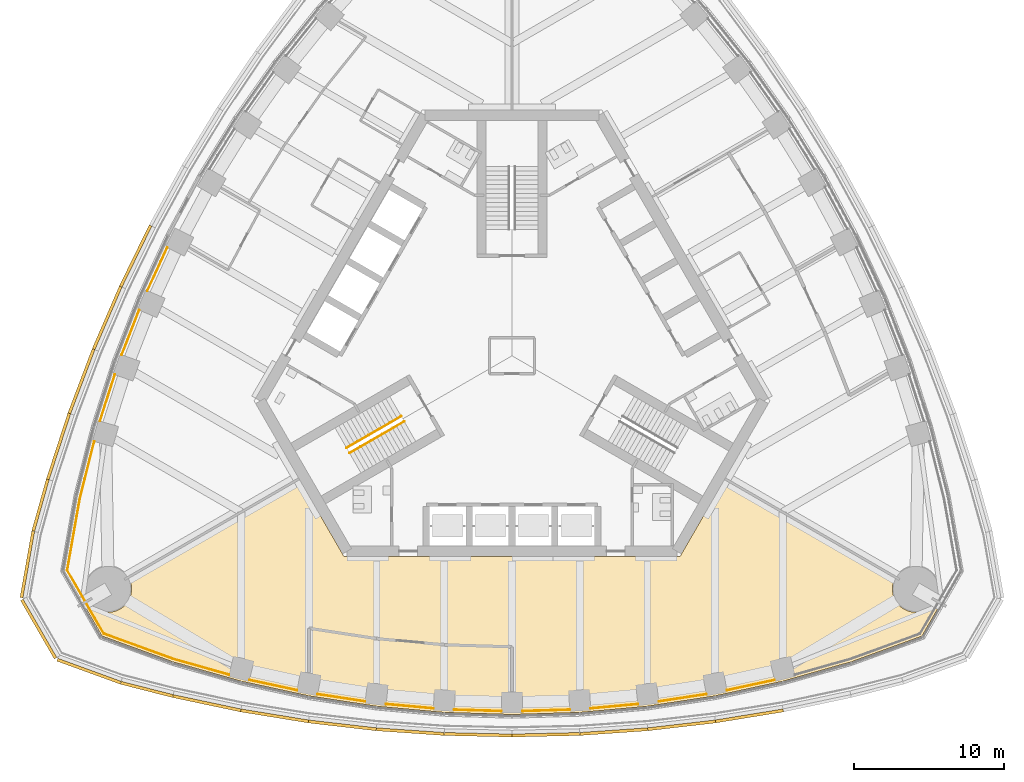
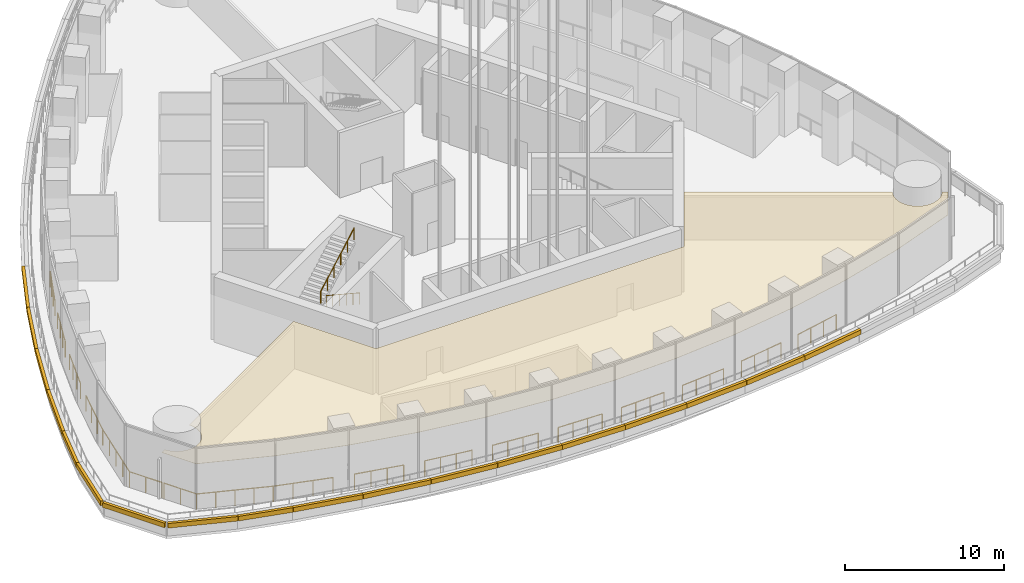
# One storey, part 13 of 26: 19 coverings, 15 railings.
"""IFC4 building model written with IfcOpenShell, lengths in metres."""

import ifcopenshell
import ifcopenshell.guid

model = None  # the IFC model being written
_history = None  # IfcOwnerHistory: only IFC2X3 demands one
_inside = {}  # id of a spatial element -> (the spatial element, [elements in it])
_under = {}  # id of a project, library or spatial element -> (it, [spatial elements below it])
_declared = {}  # id of a project -> (the project, [libraries it declares])
_typed = {}  # id of a type object -> (the type object, [elements of that type])
_made_of = {}  # id of a material, layer set ... -> (it, [elements and type objects made of it])


def new_model(schema):
    """Start an empty IFC model of exactly this schema.

    Asked for "IFC4X3", IfcOpenShell would pick the latest addendum, in which some entities
    have other attributes; the version numbers below select the first issue.
    IFC2X3 requires an IfcOwnerHistory on every rooted entity: one is made here for all.
    """
    global model, _history
    if schema == "IFC4X3":
        model = ifcopenshell.file(schema_version=(4, 3, 0, 0))
    else:
        model = ifcopenshell.file(schema=schema)
    _inside.clear()
    _under.clear()
    _declared.clear()
    _typed.clear()
    _made_of.clear()
    _history = None
    if model.schema == "IFC2X3":
        org = make("IfcOrganization", Name="unknown")
        user = make(
            "IfcPersonAndOrganization",
            ThePerson=make("IfcPerson", FamilyName="unknown"),
            TheOrganization=org,
        )
        app = make(
            "IfcApplication",
            ApplicationDeveloper=org,
            Version="unknown",
            ApplicationFullName="unknown",
            ApplicationIdentifier="unknown",
        )
        _history = make(
            "IfcOwnerHistory",
            OwningUser=user,
            OwningApplication=app,
            ChangeAction="ADDED",
            CreationDate=0,
        )
    return model


def make(cls, **values):
    """One entity of the class cls with the attributes given. An attribute that is None is left unset."""
    return model.create_entity(
        cls, **{name: value for name, value in values.items() if value is not None}
    )


def rooted(cls, **values):
    """An entity with a GlobalId (a new one), such as an element, a storey or a relation."""
    return make(cls, GlobalId=ifcopenshell.guid.new(), OwnerHistory=_history, **values)


def si_unit(unit_type, name, prefix=None):
    """IfcSIUnit, for example si_unit("LENGTHUNIT", "METRE", prefix="MILLI")."""
    return make("IfcSIUnit", UnitType=unit_type, Prefix=prefix, Name=name)


def assignment(units):
    """IfcUnitAssignment: the units of a project."""
    return None if units is None else make("IfcUnitAssignment", Units=units)


def point(xyz):
    """IfcCartesianPoint."""
    return None if xyz is None else make("IfcCartesianPoint", Coordinates=xyz)


def direction(xyz):
    """IfcDirection."""
    return None if xyz is None else make("IfcDirection", DirectionRatios=xyz)


def frame(location, z_axis=None, x_axis=None):
    """IfcAxis2Placement3D, a coordinate frame: its origin and axes. An axis left out is left unset."""
    return make(
        "IfcAxis2Placement3D",
        Location=point(location),
        Axis=direction(z_axis),
        RefDirection=direction(x_axis),
    )


def frame_2d(location, x_axis=None):
    """IfcAxis2Placement2D, a coordinate frame in the plane: its origin and x axis."""
    return make(
        "IfcAxis2Placement2D", Location=point(location), RefDirection=direction(x_axis)
    )


def origin():
    """The frame at (0, 0, 0) with its axes left unset."""
    return frame((0.0, 0.0, 0.0))


def origin_2d():
    """The frame at (0, 0) in the plane with its x axis left unset."""
    return frame_2d((0.0, 0.0))


def place(relative_to, where):
    """IfcLocalPlacement: puts the frame where relative to a parent placement (None: the world)."""
    return make(
        "IfcLocalPlacement", PlacementRelTo=relative_to, RelativePlacement=where
    )


def context(
    kind, dimensions, precision=None, world=None, true_north=None, identifier=None
):
    """IfcGeometricRepresentationContext, for example the 3D "Model" context."""
    return make(
        "IfcGeometricRepresentationContext",
        ContextIdentifier=identifier,
        ContextType=kind,
        CoordinateSpaceDimension=dimensions,
        Precision=precision,
        WorldCoordinateSystem=world,
        TrueNorth=true_north,
    )


def subcontext(parent, identifier, kind, view, scale=None):
    """IfcGeometricRepresentationSubContext, for example "Body" below "Model"."""
    return make(
        "IfcGeometricRepresentationSubContext",
        ContextIdentifier=identifier,
        ContextType=kind,
        ParentContext=parent,
        TargetScale=scale,
        TargetView=view,
    )


def project(units=None, contexts=None):
    """IfcProject with its units and contexts."""
    return rooted(
        "IfcProject",
        Name="project",
        RepresentationContexts=contexts,
        UnitsInContext=assignment(units),
    )


def spatial(cls, under=None, at=None, **own):
    """A site, building, storey or space (cls), placed at a placement, below another one or the project."""
    s = rooted(cls, ObjectPlacement=at, **own)
    if under is not None:
        _under.setdefault(under.id(), (under, []))[1].append(s)
    return s


def polyline(points):
    """IfcPolyline through the points."""
    return make("IfcPolyline", Points=[point(p) for p in points])


def profile(cls, at=None, kind="AREA", **sizes):
    """A parametric profile (cls). Its sizes go by their IFC names, for example OverallWidth=200.0."""
    return make(cls, ProfileType=kind, Position=at, **sizes)


def rectangle(**sizes):
    """IfcRectangleProfileDef."""
    return profile("IfcRectangleProfileDef", **sizes)


def circle(**sizes):
    """IfcCircleProfileDef."""
    return profile("IfcCircleProfileDef", **sizes)


def outline(outer, holes=None, kind="AREA"):
    """IfcArbitraryClosedProfileDef: a profile drawn as a closed curve; with holes, ...WithVoids."""
    if holes is None:
        return make("IfcArbitraryClosedProfileDef", ProfileType=kind, OuterCurve=outer)
    return make(
        "IfcArbitraryProfileDefWithVoids",
        ProfileType=kind,
        OuterCurve=outer,
        InnerCurves=holes,
    )


def extrude(swept, where, along, depth):
    """IfcExtrudedAreaSolid: the profile swept, set in the frame where, extruded along a direction by depth."""
    return make(
        "IfcExtrudedAreaSolid",
        SweptArea=swept,
        Position=where,
        ExtrudedDirection=direction(along),
        Depth=depth,
    )


def shape(context_of_items, identifier, shape_type, items):
    """IfcShapeRepresentation: the items that make up one representation, for example the "Body"."""
    return make(
        "IfcShapeRepresentation",
        ContextOfItems=context_of_items,
        RepresentationIdentifier=identifier,
        RepresentationType=shape_type,
        Items=items,
    )


def material(Name=None, Category=None):
    """IfcMaterial."""
    return make("IfcMaterial", Name=Name, Category=Category)


def layer(
    of_material, thickness, ventilated=None, Name=None, Category=None, Priority=None
):
    """IfcMaterialLayer: one layer of a wall or slab, of a material (None: an air gap)."""
    return make(
        "IfcMaterialLayer",
        Material=of_material,
        LayerThickness=thickness,
        IsVentilated=ventilated,
        Name=Name,
        Category=Category,
        Priority=Priority,
    )


def layer_set(layers, Name=None):
    """IfcMaterialLayerSet."""
    return make("IfcMaterialLayerSet", MaterialLayers=layers, LayerSetName=Name)


def made_of(thing, what):
    """Note that an element or type object is made of a material, layer set ...; save() writes the relation."""
    if what is not None:
        _made_of.setdefault(what.id(), (what, []))[1].append(thing)
    return thing


def type_object(cls, material=None, **own):
    """A type object (cls), such as IfcWallType, which elements share."""
    return made_of(rooted(cls, **own), material)


def element(
    cls,
    number,
    at=None,
    inside=None,
    cuts=None,
    type_object=None,
    material=None,
    context=None,
    identifier="Body",
    shape_type=None,
    held_by="IfcProductDefinitionShape",
    body=None,
    shapes=None,
    **own,
):
    """One element of the class cls, such as IfcWall. Its Tag is "e" and its number.

    at: its placement. inside: the storey or other place that contains it. cuts: it is an
    opening in that element (IfcRelVoidsElement). A single representation is given by context,
    identifier, shape_type and body (its items); several are given by shapes. held_by: the class
    of the entity that holds the representations. save() writes the other relations.
    """
    e = rooted(cls, Tag="e%d" % number, ObjectPlacement=at, **own)
    if body is not None:
        shapes = [shape(context, identifier, shape_type, body)]
    if shapes is not None:
        e.Representation = make(held_by, Representations=shapes)
    if inside is not None:
        _inside.setdefault(inside.id(), (inside, []))[1].append(e)
    if cuts is not None:
        rooted(
            "IfcRelVoidsElement", RelatingBuildingElement=cuts, RelatedOpeningElement=e
        )
    if type_object is not None:
        _typed.setdefault(type_object.id(), (type_object, []))[1].append(e)
    return made_of(e, material)


def aggregate(whole, parts):
    """IfcRelAggregates: a whole, such as a stair, and the parts it consists of."""
    return rooted("IfcRelAggregates", RelatingObject=whole, RelatedObjects=parts)


def save(model, path):
    """Write the relations noted so far, then the file.

    IfcRelAggregates (storeys below a building ...), IfcRelContainedInSpatialStructure (elements
    in a storey), IfcRelDefinesByType, IfcRelAssociatesMaterial and IfcRelDeclares: one each for
    every whole, place, type object, material and project.
    """
    for whole, parts in _under.values():
        aggregate(whole, parts)
    for where, things in _inside.values():
        rooted(
            "IfcRelContainedInSpatialStructure",
            RelatedElements=things,
            RelatingStructure=where,
        )
    for kind, things in _typed.values():
        rooted("IfcRelDefinesByType", RelatedObjects=things, RelatingType=kind)
    for what, things in _made_of.values():
        rooted("IfcRelAssociatesMaterial", RelatedObjects=things, RelatingMaterial=what)
    for by, libraries in _declared.values():
        rooted("IfcRelDeclares", RelatingContext=by, RelatedDefinitions=libraries)
    model.write(path)


model = new_model("IFC4")

# Units and contexts
model_context = context("Model", 3, precision=1e-05, world=origin(), true_north=direction((0.0, 1.0)))
body_context = subcontext(model_context, "Body", "Model", "MODEL_VIEW")
ifc_project = project(units=[si_unit("LENGTHUNIT", "METRE"), si_unit("AREAUNIT", "SQUARE_METRE"), si_unit("VOLUMEUNIT", "CUBIC_METRE"), si_unit("PLANEANGLEUNIT", "RADIAN"), si_unit("MASSUNIT", "GRAM", prefix="KILO")], contexts=[model_context])

# Site, building, storey
site_placement = place(None, origin())
site = spatial("IfcSite", under=ifc_project, at=site_placement, CompositionType="ELEMENT")
building_placement = place(site_placement, origin())
building = spatial("IfcBuilding", under=site, at=building_placement, Name="Trefoil Bronze Tower", CompositionType="ELEMENT")
storey_placement = place(building_placement, frame((0.0, 0.0, 271.300048828125)))
storey = spatial("IfcBuildingStorey", under=building, at=storey_placement, Name="L62", CompositionType="ELEMENT", Elevation=271.300048828125)

# Covering
ifc_material_1 = material(Name="Bronze metal ceiling panels", Category="metal")
ifc_layer = layer(ifc_material_1, 0.02001953125)
ifc_layer_set = layer_set([ifc_layer], Name="Feature ceiling 20")
covering_type_1 = type_object("IfcCoveringType", Name="Feature ceiling 20", PredefinedType="CEILING", material=ifc_layer_set)
covering_1_placement = place(storey_placement, frame((0.0, 0.0, 3.599853515625)))
element("IfcCovering", 1, at=covering_1_placement, inside=storey, type_object=covering_type_1, Name="Ceiling L62 Sky restaurant F1", PredefinedType="CEILING", context=body_context, shape_type="SweptSolid", body=[
    extrude(outline(polyline([(-28.135498046875, -16.361083984375), (-28.091796875, -16.42333984375), (-28.044921875, -16.4833984375), (-27.995361328125, -16.541015625), (-27.94287109375, -16.595947265625), (-27.8876953125, -16.6484375), (-27.830078125, -16.6982421875), (-27.77001953125, -16.7451171875), (-27.7080078125, -16.788818359375), (-27.6435546875, -16.82958984375), (-27.577392578125, -16.866943359375), (-27.509521484375, -16.901123046875), (-27.43994140625, -16.931884765625), (-27.368896484375, -16.95947265625), (-27.296630859375, -16.9833984375), (-27.223388671875, -17.00341796875), (-27.149169921875, -17.020263671875), (-27.07421875, -17.033203125), (-26.998779296875, -17.04248046875), (-26.9228515625, -17.048095703125), (-26.8466796875, -17.050048828125), (-26.770751953125, -17.048095703125), (-26.69482421875, -17.04248046875), (-26.619384765625, -17.033203125), (-26.54443359375, -17.020263671875), (-26.47021484375, -17.00341796875), (-26.396728515625, -16.9833984375), (-26.32470703125, -16.95947265625), (-26.253662109375, -16.931884765625), (-26.18408203125, -16.901123046875), (-26.1162109375, -16.866943359375), (-26.0498046875, -16.82958984375), (-25.985595703125, -16.788818359375), (-25.923583984375, -16.7451171875), (-25.863525390625, -16.6982421875), (-25.805908203125, -16.6484375), (-25.750732421875, -16.595947265625), (-25.6982421875, -16.541015625), (-25.648681640625, -16.4833984375), (-25.601806640625, -16.42333984375), (-25.55810546875, -16.361083984375), (-25.517333984375, -16.296875), (-25.479736328125, -16.230712890625), (-25.445556640625, -16.16259765625), (-25.414794921875, -16.09326171875), (-25.387451171875, -16.022216796875), (-25.363525390625, -15.949951171875), (-25.34326171875, -15.876708984375), (-25.32666015625, -15.802490234375), (-25.313720703125, -15.727294921875), (-25.30419921875, -15.65185546875), (-25.298583984375, -15.576171875), (-25.296875, -15.5), (-25.298583984375, -15.423828125), (-25.30419921875, -15.34814453125), (-25.313720703125, -15.272705078125), (-25.32666015625, -15.197509765625), (-25.34326171875, -15.123291015625), (-25.363525390625, -15.050048828125), (-25.387451171875, -14.977783203125), (-25.414794921875, -14.90673828125), (-25.445556640625, -14.83740234375), (-25.479736328125, -14.769287109375), (-25.49951171875, -14.73486328125), (-14.156494140625, -8.180419921875), (-11.171630859375, -13.35009765625), (11.171630859375, -13.35009765625), (14.156494140625, -8.180419921875), (25.49951171875, -14.73486328125), (25.479736328125, -14.769287109375), (25.445556640625, -14.83740234375), (25.414794921875, -14.90673828125), (25.387451171875, -14.977783203125), (25.363525390625, -15.050048828125), (25.34326171875, -15.123291015625), (25.32666015625, -15.197509765625), (25.313720703125, -15.272705078125), (25.30419921875, -15.34814453125), (25.298583984375, -15.423828125), (25.296875, -15.5), (25.298583984375, -15.576171875), (25.30419921875, -15.65185546875), (25.313720703125, -15.727294921875), (25.32666015625, -15.802490234375), (25.34326171875, -15.876708984375), (25.363525390625, -15.949951171875), (25.387451171875, -16.022216796875), (25.414794921875, -16.09326171875), (25.445556640625, -16.16259765625), (25.479736328125, -16.230712890625), (25.517333984375, -16.296875), (25.55810546875, -16.361083984375), (25.601806640625, -16.42333984375), (25.648681640625, -16.4833984375), (25.6982421875, -16.541015625), (25.750732421875, -16.595947265625), (25.805908203125, -16.6484375), (25.863525390625, -16.6982421875), (25.923583984375, -16.7451171875), (25.985595703125, -16.788818359375), (26.0498046875, -16.82958984375), (26.1162109375, -16.866943359375), (26.18408203125, -16.901123046875), (26.253662109375, -16.931884765625), (26.32470703125, -16.95947265625), (26.396728515625, -16.9833984375), (26.47021484375, -17.00341796875), (26.54443359375, -17.020263671875), (26.619384765625, -17.033203125), (26.69482421875, -17.04248046875), (26.770751953125, -17.048095703125), (26.8466796875, -17.050048828125), (26.9228515625, -17.048095703125), (26.998779296875, -17.04248046875), (27.07421875, -17.033203125), (27.149169921875, -17.020263671875), (27.223388671875, -17.00341796875), (27.296630859375, -16.9833984375), (27.368896484375, -16.95947265625), (27.43994140625, -16.931884765625), (27.509521484375, -16.901123046875), (27.577392578125, -16.866943359375), (27.6435546875, -16.82958984375), (27.7080078125, -16.788818359375), (27.77001953125, -16.7451171875), (27.830078125, -16.6982421875), (27.8876953125, -16.6484375), (27.94287109375, -16.595947265625), (27.995361328125, -16.541015625), (28.044921875, -16.4833984375), (28.091796875, -16.42333984375), (28.135498046875, -16.361083984375), (28.182861328125, -16.285400390625), (28.510009765625, -16.474609375), (27.26220703125, -18.635986328125), (22.54833984375, -20.3515625), (18.0, -21.640869140625), (13.5, -22.6162109375), (9.0, -23.30517578125), (4.5, -23.71533203125), (0.0, -23.8515625), (-4.5, -23.71533203125), (-9.0, -23.30517578125), (-13.5, -22.6162109375), (-18.0, -21.640869140625), (-22.54833984375, -20.3515625), (-27.26220703125, -18.635986328125), (-28.510009765625, -16.474609375), (-28.182861328125, -16.285400390625), (-28.135498046875, -16.361083984375)])), origin(), (0.0, 0.0, 1.0), 0.02001953125),
])

# Railings
ifc_material_2 = material(Name="Bronze-finish steel guard rail and posts", Category="steel")
railing_type_1 = type_object("IfcRailingType", Name="Glazing guard 1200", PredefinedType="GUARDRAIL", material=ifc_material_2)
railing_1_placement = place(storey_placement, frame((-26.410888671875, -1.25634765625, 0.0)))
element("IfcRailing", 2, at=railing_1_placement, inside=storey, type_object=railing_type_1, Name="Glazing guard L62.1", PredefinedType="GUARDRAIL", context=body_context, shape_type="SweptSolid", body=[
    extrude(circle(Radius=0.02392578125, at=origin_2d()), frame((0.0, 0.0, 1.17578125), z_axis=(-0.305188056524, -0.952292103378, 0.0), x_axis=(0.952292103378, -0.305188056524, 0.0)), (0.0, 0.0, 1.0), 3.243896484375),
    extrude(circle(Radius=0.02099609375, at=origin_2d()), origin(), (0.0, 0.0, 1.0), 1.15185546875),
    extrude(circle(Radius=0.02099609375, at=origin_2d()), frame((-0.330078125, -1.02978515625, 0.0)), (0.0, 0.0, 1.0), 1.15185546875),
    extrude(circle(Radius=0.02099609375, at=origin_2d()), frame((-0.659912109375, -2.059326171875, 0.0)), (0.0, 0.0, 1.0), 1.15185546875),
    extrude(circle(Radius=0.02099609375, at=origin_2d()), frame((-0.989990234375, -3.089111328125, 0.0)), (0.0, 0.0, 1.0), 1.15185546875),
])
railing_2_placement = place(storey_placement, frame((-27.77685546875, -5.69384765625, 0.0)))
element("IfcRailing", 3, at=railing_2_placement, inside=storey, type_object=railing_type_1, Name="Glazing guard L62.2", PredefinedType="GUARDRAIL", context=body_context, shape_type="SweptSolid", body=[
    extrude(circle(Radius=0.02392578125, at=origin_2d()), frame((0.0, 0.0, 1.17578125), z_axis=(-0.244847086549, -0.969561707272, 0.0), x_axis=(0.969561707272, -0.244847086549, 0.0)), (0.0, 0.0, 1.0), 3.875732421875),
    extrude(circle(Radius=0.02392578125, at=origin_2d()), frame((-0.948974609375, -3.7578125, 1.17578125), z_axis=(-0.173674011699, -0.984803197426, 0.0), x_axis=(0.984803197426, -0.173674011699, 0.0)), (0.0, 0.0, 1.0), 4.87939453125),
    extrude(circle(Radius=0.02392578125, at=origin_2d()), frame((-1.79638671875, -8.56298828125, 1.17578125), z_axis=(0.499969694265, -0.866042900102, 0.0), x_axis=(0.866042900102, 0.499969694265, 0.0)), (0.0, 0.0, 1.0), 2.364990234375),
    extrude(circle(Radius=0.02099609375, at=origin_2d()), origin(), (0.0, 0.0, 1.0), 1.15185546875),
    extrude(circle(Radius=0.02099609375, at=origin_2d()), frame((-0.31640625, -1.252685546875, 0.0)), (0.0, 0.0, 1.0), 1.15185546875),
    extrude(circle(Radius=0.02099609375, at=origin_2d()), frame((-0.632568359375, -2.505126953125, 0.0)), (0.0, 0.0, 1.0), 1.15185546875),
    extrude(circle(Radius=0.02099609375, at=origin_2d()), frame((-0.948974609375, -3.7578125, 0.0)), (0.0, 0.0, 1.0), 1.15185546875),
    extrude(circle(Radius=0.02099609375, at=origin_2d()), frame((-1.160888671875, -4.958984375, 0.0)), (0.0, 0.0, 1.0), 1.15185546875),
    extrude(circle(Radius=0.02099609375, at=origin_2d()), frame((-1.37255859375, -6.160400390625, 0.0)), (0.0, 0.0, 1.0), 1.15185546875),
    extrude(circle(Radius=0.02099609375, at=origin_2d()), frame((-1.58447265625, -7.36181640625, 0.0)), (0.0, 0.0, 1.0), 1.15185546875),
    extrude(circle(Radius=0.02099609375, at=origin_2d()), frame((-1.79638671875, -8.56298828125, 0.0)), (0.0, 0.0, 1.0), 1.15185546875),
    extrude(circle(Radius=0.02099609375, at=origin_2d()), frame((-1.205078125, -9.5869140625, 0.0)), (0.0, 0.0, 1.0), 1.15185546875),
    extrude(circle(Radius=0.02099609375, at=origin_2d()), frame((-0.614013671875, -10.611083984375, 0.0)), (0.0, 0.0, 1.0), 1.15185546875),
])
railing_3_placement = place(storey_placement, frame((-28.31591796875, -16.434814453125, 0.0)))
element("IfcRailing", 4, at=railing_3_placement, inside=storey, type_object=railing_type_1, Name="Glazing guard L62.3", PredefinedType="GUARDRAIL", context=body_context, shape_type="SweptSolid", body=[
    extrude(circle(Radius=0.02392578125, at=origin_2d()), frame((0.0, 0.0, 1.17578125), z_axis=(0.500014398087, -0.866017090885, 0.0), x_axis=(0.866017090885, 0.500014398087, 0.0)), (0.0, 0.0, 1.0), 2.36474609375),
    extrude(circle(Radius=0.02392578125, at=origin_2d()), frame((1.182373046875, -2.0478515625, 1.17578125), z_axis=(0.939688198053, -0.342032294441, 0.0), x_axis=(0.342032294441, 0.939688198053, 0.0)), (0.0, 0.0, 1.0), 4.87939453125),
    extrude(circle(Radius=0.02392578125, at=origin_2d()), frame((5.767578125, -3.716796875, 1.17578125), z_axis=(0.962099460504, -0.272698786389, 0.0), x_axis=(0.272698786389, 0.962099460504, 0.0)), (0.0, 0.0, 1.0), 3.875732421875),
    extrude(circle(Radius=0.02099609375, at=origin_2d()), origin(), (0.0, 0.0, 1.0), 1.15185546875),
    extrude(circle(Radius=0.02099609375, at=origin_2d()), frame((0.59130859375, -1.02392578125, 0.0)), (0.0, 0.0, 1.0), 1.15185546875),
    extrude(circle(Radius=0.02099609375, at=origin_2d()), frame((1.182373046875, -2.0478515625, 0.0)), (0.0, 0.0, 1.0), 1.15185546875),
    extrude(circle(Radius=0.02099609375, at=origin_2d()), frame((2.32861328125, -2.465087890625, 0.0)), (0.0, 0.0, 1.0), 1.15185546875),
    extrude(circle(Radius=0.02099609375, at=origin_2d()), frame((3.47509765625, -2.88232421875, 0.0)), (0.0, 0.0, 1.0), 1.15185546875),
    extrude(circle(Radius=0.02099609375, at=origin_2d()), frame((4.621337890625, -3.299560546875, 0.0)), (0.0, 0.0, 1.0), 1.15185546875),
    extrude(circle(Radius=0.02099609375, at=origin_2d()), frame((5.767578125, -3.716796875, 0.0)), (0.0, 0.0, 1.0), 1.15185546875),
    extrude(circle(Radius=0.02099609375, at=origin_2d()), frame((7.010498046875, -4.069091796875, 0.0)), (0.0, 0.0, 1.0), 1.15185546875),
    extrude(circle(Radius=0.02099609375, at=origin_2d()), frame((8.25341796875, -4.42138671875, 0.0)), (0.0, 0.0, 1.0), 1.15185546875),
    extrude(circle(Radius=0.02099609375, at=origin_2d()), frame((9.496337890625, -4.773681640625, 0.0)), (0.0, 0.0, 1.0), 1.15185546875),
])
railing_4_placement = place(storey_placement, frame((-17.463623046875, -21.55712890625, 0.0)))
element("IfcRailing", 5, at=railing_4_placement, inside=storey, type_object=railing_type_1, Name="Glazing guard L62.4", PredefinedType="GUARDRAIL", context=body_context, shape_type="SweptSolid", body=[
    extrude(circle(Radius=0.02392578125, at=origin_2d()), frame((0.0, 0.0, 1.17578125), z_axis=(0.977314053028, -0.211795282651, 0.0), x_axis=(0.211795282651, 0.977314053028, 0.0)), (0.0, 0.0, 1.0), 3.24365234375),
    extrude(circle(Radius=0.02099609375, at=origin_2d()), origin(), (0.0, 0.0, 1.0), 1.15185546875),
    extrude(circle(Radius=0.02099609375, at=origin_2d()), frame((1.056640625, -0.22900390625, 0.0)), (0.0, 0.0, 1.0), 1.15185546875),
    extrude(circle(Radius=0.02099609375, at=origin_2d()), frame((2.113525390625, -0.4580078125, 0.0)), (0.0, 0.0, 1.0), 1.15185546875),
    extrude(circle(Radius=0.02099609375, at=origin_2d()), frame((3.170166015625, -0.68701171875, 0.0)), (0.0, 0.0, 1.0), 1.15185546875),
])
railing_5_placement = place(storey_placement, frame((-12.91796875, -22.50537109375, 0.0)))
element("IfcRailing", 6, at=railing_5_placement, inside=storey, type_object=railing_type_1, Name="Glazing guard L62.5", PredefinedType="GUARDRAIL", context=body_context, shape_type="SweptSolid", body=[
    extrude(circle(Radius=0.02392578125, at=origin_2d()), frame((0.0, 0.0, 1.17578125), z_axis=(0.988485562246, -0.151315211503, 0.0), x_axis=(0.151315211503, 0.988485562246, 0.0)), (0.0, 0.0, 1.0), 3.189697265625),
    extrude(circle(Radius=0.02099609375, at=origin_2d()), origin(), (0.0, 0.0, 1.0), 1.15185546875),
    extrude(circle(Radius=0.02099609375, at=origin_2d()), frame((1.051025390625, -0.160888671875, 0.0)), (0.0, 0.0, 1.0), 1.15185546875),
    extrude(circle(Radius=0.02099609375, at=origin_2d()), frame((2.10205078125, -0.32177734375, 0.0)), (0.0, 0.0, 1.0), 1.15185546875),
    extrude(circle(Radius=0.02099609375, at=origin_2d()), frame((3.153076171875, -0.482666015625, 0.0)), (0.0, 0.0, 1.0), 1.15185546875),
])
railing_6_placement = place(storey_placement, frame((-8.375732421875, -23.162109375, 0.0)))
element("IfcRailing", 7, at=railing_6_placement, inside=storey, type_object=railing_type_1, Name="Glazing guard L62.6", PredefinedType="GUARDRAIL", context=body_context, shape_type="SweptSolid", body=[
    extrude(circle(Radius=0.02392578125, at=origin_2d()), frame((0.0, 0.0, 1.17578125), z_axis=(0.995872249374, -0.090765978906, 0.0), x_axis=(0.090765978906, 0.995872249374, 0.0)), (0.0, 0.0, 1.0), 3.155029296875),
    extrude(circle(Radius=0.02099609375, at=origin_2d()), origin(), (0.0, 0.0, 1.0), 1.15185546875),
    extrude(circle(Radius=0.02099609375, at=origin_2d()), frame((1.04736328125, -0.095458984375, 0.0)), (0.0, 0.0, 1.0), 1.15185546875),
    extrude(circle(Radius=0.02099609375, at=origin_2d()), frame((2.0947265625, -0.19091796875, 0.0)), (0.0, 0.0, 1.0), 1.15185546875),
    extrude(circle(Radius=0.02099609375, at=origin_2d()), frame((3.14208984375, -0.286376953125, 0.0)), (0.0, 0.0, 1.0), 1.15185546875),
])
railing_7_placement = place(storey_placement, frame((-3.83642578125, -23.535400390625, 0.0)))
element("IfcRailing", 8, at=railing_7_placement, inside=storey, type_object=railing_type_1, Name="Glazing guard L62.7", PredefinedType="GUARDRAIL", context=body_context, shape_type="SweptSolid", body=[
    extrude(circle(Radius=0.02392578125, at=origin_2d()), frame((0.0, 0.0, 1.17578125), z_axis=(0.999541892662, -0.030265571437, 0.0), x_axis=(0.030265571437, 0.999541892662, 0.0)), (0.0, 0.0, 1.0), 3.137939453125),
    extrude(circle(Radius=0.02099609375, at=origin_2d()), origin(), (0.0, 0.0, 1.0), 1.15185546875),
    extrude(circle(Radius=0.02099609375, at=origin_2d()), frame((1.04541015625, -0.03173828125, 0.0)), (0.0, 0.0, 1.0), 1.15185546875),
    extrude(circle(Radius=0.02099609375, at=origin_2d()), frame((2.091064453125, -0.063232421875, 0.0)), (0.0, 0.0, 1.0), 1.15185546875),
    extrude(circle(Radius=0.02099609375, at=origin_2d()), frame((3.136474609375, -0.094970703125, 0.0)), (0.0, 0.0, 1.0), 1.15185546875),
])
railing_8_placement = place(storey_placement, frame((0.699951171875, -23.63037109375, 0.0)))
element("IfcRailing", 9, at=railing_8_placement, inside=storey, type_object=railing_type_1, Name="Glazing guard L62.8", PredefinedType="GUARDRAIL", context=body_context, shape_type="SweptSolid", body=[
    extrude(circle(Radius=0.02392578125, at=origin_2d()), frame((0.0, 0.0, 1.17578125), z_axis=(0.999541892662, 0.030265571437, 0.0), x_axis=(-0.030265571437, 0.999541892662, 0.0)), (0.0, 0.0, 1.0), 3.137939453125),
    extrude(circle(Radius=0.02099609375, at=origin_2d()), origin(), (0.0, 0.0, 1.0), 1.15185546875),
    extrude(circle(Radius=0.02099609375, at=origin_2d()), frame((1.04541015625, 0.03173828125, 0.0)), (0.0, 0.0, 1.0), 1.15185546875),
    extrude(circle(Radius=0.02099609375, at=origin_2d()), frame((2.091064453125, 0.063232421875, 0.0)), (0.0, 0.0, 1.0), 1.15185546875),
    extrude(circle(Radius=0.02099609375, at=origin_2d()), frame((3.136474609375, 0.094970703125, 0.0)), (0.0, 0.0, 1.0), 1.15185546875),
])
railing_9_placement = place(storey_placement, frame((5.233642578125, -23.448486328125, 0.0)))
element("IfcRailing", 10, at=railing_9_placement, inside=storey, type_object=railing_type_1, Name="Glazing guard L62.9", PredefinedType="GUARDRAIL", context=body_context, shape_type="SweptSolid", body=[
    extrude(circle(Radius=0.02392578125, at=origin_2d()), frame((0.0, 0.0, 1.17578125), z_axis=(0.995872249374, 0.090765978906, 0.0), x_axis=(-0.090765978906, 0.995872249374, 0.0)), (0.0, 0.0, 1.0), 3.155029296875),
    extrude(circle(Radius=0.02099609375, at=origin_2d()), origin(), (0.0, 0.0, 1.0), 1.15185546875),
    extrude(circle(Radius=0.02099609375, at=origin_2d()), frame((1.04736328125, 0.095458984375, 0.0)), (0.0, 0.0, 1.0), 1.15185546875),
    extrude(circle(Radius=0.02099609375, at=origin_2d()), frame((2.0947265625, 0.19091796875, 0.0)), (0.0, 0.0, 1.0), 1.15185546875),
    extrude(circle(Radius=0.02099609375, at=origin_2d()), frame((3.14208984375, 0.286376953125, 0.0)), (0.0, 0.0, 1.0), 1.15185546875),
])
railing_10_placement = place(storey_placement, frame((9.764892578125, -22.988037109375, 0.0)))
element("IfcRailing", 11, at=railing_10_placement, inside=storey, type_object=railing_type_1, Name="Glazing guard L62.10", PredefinedType="GUARDRAIL", context=body_context, shape_type="SweptSolid", body=[
    extrude(circle(Radius=0.02392578125, at=origin_2d()), frame((0.0, 0.0, 1.17578125), z_axis=(0.988485562246, 0.151315211503, 0.0), x_axis=(-0.151315211503, 0.988485562246, 0.0)), (0.0, 0.0, 1.0), 3.189697265625),
    extrude(circle(Radius=0.02099609375, at=origin_2d()), origin(), (0.0, 0.0, 1.0), 1.15185546875),
    extrude(circle(Radius=0.02099609375, at=origin_2d()), frame((1.051025390625, 0.160888671875, 0.0)), (0.0, 0.0, 1.0), 1.15185546875),
    extrude(circle(Radius=0.02099609375, at=origin_2d()), frame((2.10205078125, 0.32177734375, 0.0)), (0.0, 0.0, 1.0), 1.15185546875),
    extrude(circle(Radius=0.02099609375, at=origin_2d()), frame((3.153076171875, 0.482666015625, 0.0)), (0.0, 0.0, 1.0), 1.15185546875),
])
railing_11_placement = place(storey_placement, frame((14.29345703125, -22.244140625, 0.0)))
element("IfcRailing", 12, at=railing_11_placement, inside=storey, type_object=railing_type_1, Name="Glazing guard L62.11", PredefinedType="GUARDRAIL", context=body_context, shape_type="SweptSolid", body=[
    extrude(circle(Radius=0.02392578125, at=origin_2d()), frame((0.0, 0.0, 1.17578125), z_axis=(0.977314053028, 0.211795282651, 0.0), x_axis=(-0.211795282651, 0.977314053028, 0.0)), (0.0, 0.0, 1.0), 3.24365234375),
    extrude(circle(Radius=0.02099609375, at=origin_2d()), origin(), (0.0, 0.0, 1.0), 1.15185546875),
    extrude(circle(Radius=0.02099609375, at=origin_2d()), frame((1.056640625, 0.22900390625, 0.0)), (0.0, 0.0, 1.0), 1.15185546875),
    extrude(circle(Radius=0.02099609375, at=origin_2d()), frame((2.113525390625, 0.4580078125, 0.0)), (0.0, 0.0, 1.0), 1.15185546875),
    extrude(circle(Radius=0.02099609375, at=origin_2d()), frame((3.170166015625, 0.68701171875, 0.0)), (0.0, 0.0, 1.0), 1.15185546875),
])
railing_12_placement = place(storey_placement, frame((-22.923828125, 7.191650390625, 0.0)))
element("IfcRailing", 13, at=railing_12_placement, inside=storey, type_object=railing_type_1, Name="Glazing guard L62.28", PredefinedType="GUARDRAIL", context=body_context, shape_type="SweptSolid", body=[
    extrude(circle(Radius=0.02392578125, at=origin_2d()), frame((0.0, 0.0, 1.17578125), z_axis=(-0.419328049042, -0.90783477973, 0.0), x_axis=(0.90783477973, -0.419328049042, 0.0)), (0.0, 0.0, 1.0), 3.155029296875),
    extrude(circle(Radius=0.02099609375, at=origin_2d()), origin(), (0.0, 0.0, 1.0), 1.15185546875),
    extrude(circle(Radius=0.02099609375, at=origin_2d()), frame((-0.44091796875, -0.954833984375, 0.0)), (0.0, 0.0, 1.0), 1.15185546875),
    extrude(circle(Radius=0.02099609375, at=origin_2d()), frame((-0.882080078125, -1.909423828125, 0.0)), (0.0, 0.0, 1.0), 1.15185546875),
    extrude(circle(Radius=0.02099609375, at=origin_2d()), frame((-1.322998046875, -2.8642578125, 0.0)), (0.0, 0.0, 1.0), 1.15185546875),
])
railing_13_placement = place(storey_placement, frame((-24.79052734375, 3.037353515625, 0.0)))
element("IfcRailing", 14, at=railing_13_placement, inside=storey, type_object=railing_type_1, Name="Glazing guard L62.29", PredefinedType="GUARDRAIL", context=body_context, shape_type="SweptSolid", body=[
    extrude(circle(Radius=0.02392578125, at=origin_2d()), frame((0.0, 0.0, 1.17578125), z_axis=(-0.363247617761, -0.931692636115, 0.0), x_axis=(0.931692636115, -0.363247617761, 0.0)), (0.0, 0.0, 1.0), 3.189697265625),
    extrude(circle(Radius=0.02099609375, at=origin_2d()), origin(), (0.0, 0.0, 1.0), 1.15185546875),
    extrude(circle(Radius=0.02099609375, at=origin_2d()), frame((-0.38623046875, -0.99072265625, 0.0)), (0.0, 0.0, 1.0), 1.15185546875),
    extrude(circle(Radius=0.02099609375, at=origin_2d()), frame((-0.7724609375, -1.981201171875, 0.0)), (0.0, 0.0, 1.0), 1.15185546875),
    extrude(circle(Radius=0.02099609375, at=origin_2d()), frame((-1.15869140625, -2.971923828125, 0.0)), (0.0, 0.0, 1.0), 1.15185546875),
])
ifc_material_3 = material(Name="Steel handrail", Category="steel")
railing_type_2 = type_object("IfcRailingType", Name="Handrail 900", PredefinedType="HANDRAIL", material=ifc_material_3)
railing_14_placement = place(storey_placement, frame((-7.166015625, -4.3681640625, 0.16650390625)))
element("IfcRailing", 15, at=railing_14_placement, inside=storey, type_object=railing_type_2, Name="Handrail ST3 flight 1 L62", PredefinedType="HANDRAIL", context=body_context, shape_type="SweptSolid", body=[
    extrude(circle(Radius=0.02392578125, at=origin_2d()), frame((0.0, 0.0, 0.8759765625), z_axis=(-0.75701437253, -0.437094753155, 0.485672128651), x_axis=(0.500027713859, -0.866009402589, 0.0)), (0.0, 0.0, 1.0), 4.8046875),
    extrude(circle(Radius=0.02099609375, at=origin_2d()), origin(), (0.0, 0.0, 1.0), 0.851806640625),
    extrude(circle(Radius=0.02099609375, at=origin_2d()), frame((-0.7275390625, -0.419921875, 0.466796875)), (0.0, 0.0, 1.0), 0.851806640625),
    extrude(circle(Radius=0.02099609375, at=origin_2d()), frame((-1.454833984375, -0.840087890625, 0.933349609375)), (0.0, 0.0, 1.0), 0.851806640625),
    extrude(circle(Radius=0.02099609375, at=origin_2d()), frame((-2.182373046875, -1.260009765625, 1.400146484375)), (0.0, 0.0, 1.0), 0.851806640625),
    extrude(circle(Radius=0.02099609375, at=origin_2d()), frame((-2.90966796875, -1.68017578125, 1.86669921875)), (0.0, 0.0, 1.0), 0.851806640625),
    extrude(circle(Radius=0.02099609375, at=origin_2d()), frame((-3.63720703125, -2.10009765625, 2.33349609375)), (0.0, 0.0, 1.0), 0.851806640625),
])
railing_15_placement = place(storey_placement, frame((-11.003173828125, -6.121826171875, 2.66650390625)))
element("IfcRailing", 16, at=railing_15_placement, inside=storey, type_object=railing_type_2, Name="Handrail ST3 flight 2 L62", PredefinedType="HANDRAIL", context=body_context, shape_type="SweptSolid", body=[
    extrude(circle(Radius=0.02392578125, at=origin_2d()), frame((0.0, 0.0, 0.8759765625), z_axis=(0.75701437253, 0.437094753155, 0.485672128651), x_axis=(-0.500027713859, 0.866009402589, 0.0)), (0.0, 0.0, 1.0), 4.8046875),
    extrude(circle(Radius=0.02099609375, at=origin_2d()), origin(), (0.0, 0.0, 1.0), 0.851806640625),
    extrude(circle(Radius=0.02099609375, at=origin_2d()), frame((0.7275390625, 0.419921875, 0.466796875)), (0.0, 0.0, 1.0), 0.851806640625),
    extrude(circle(Radius=0.02099609375, at=origin_2d()), frame((1.454833984375, 0.840087890625, 0.933349609375)), (0.0, 0.0, 1.0), 0.851806640625),
    extrude(circle(Radius=0.02099609375, at=origin_2d()), frame((2.182373046875, 1.260009765625, 1.400146484375)), (0.0, 0.0, 1.0), 0.851806640625),
    extrude(circle(Radius=0.02099609375, at=origin_2d()), frame((2.90966796875, 1.68017578125, 1.86669921875)), (0.0, 0.0, 1.0), 0.851806640625),
    extrude(circle(Radius=0.02099609375, at=origin_2d()), frame((3.63720703125, 2.10009765625, 2.33349609375)), (0.0, 0.0, 1.0), 0.851806640625),
])

# Coverings
ifc_material_4 = material(Name="Stepped bronze-finish aluminium cornice", Category="aluminium")
covering_type_2 = type_object("IfcCoveringType", Name="Setback cornice 350x200", PredefinedType="MOLDING", material=ifc_material_4)
covering_2_placement = place(storey_placement, frame((-24.2822265625, -22.184326171875, 0.75), z_axis=(0.0, 0.0, 1.0), x_axis=(0.968934035402, -0.247319297752, 0.0)))
element("IfcCovering", 17, at=covering_2_placement, inside=storey, type_object=covering_type_2, Name="Setback cornice L62.00", PredefinedType="MOLDING", context=body_context, shape_type="SweptSolid", body=[
    extrude(rectangle(XDim=3.563720703125, YDim=0.199951171875, at=origin_2d()), origin(), (0.0, 0.0, 1.0), 0.35009765625),
])
covering_3_placement = place(storey_placement, frame((-20.296630859375, -23.1025390625, 0.75), z_axis=(0.0, 0.0, 1.0), x_axis=(0.97839433593, -0.206747487096, 0.0)))
element("IfcCovering", 18, at=covering_3_placement, inside=storey, type_object=covering_type_2, Name="Setback cornice L62.01", PredefinedType="MOLDING", context=body_context, shape_type="SweptSolid", body=[
    extrude(rectangle(XDim=4.599365234375, YDim=0.199951171875, at=origin_2d()), origin(), (0.0, 0.0, 1.0), 0.35009765625),
])
covering_4_placement = place(storey_placement, frame((-15.7861328125, -23.946533203125, 0.75), z_axis=(0.0, 0.0, 1.0), x_axis=(0.986986549525, -0.160802832865, 0.0)))
element("IfcCovering", 19, at=covering_4_placement, inside=storey, type_object=covering_type_2, Name="Setback cornice L62.02", PredefinedType="MOLDING", context=body_context, shape_type="SweptSolid", body=[
    extrude(rectangle(XDim=4.559326171875, YDim=0.199951171875, at=origin_2d()), origin(), (0.0, 0.0, 1.0), 0.35009765625),
])
covering_5_placement = place(storey_placement, frame((-11.27587890625, -24.57470703125, 0.75), z_axis=(0.0, 0.0, 1.0), x_axis=(0.993381831721, -0.114858767216, 0.0)))
element("IfcCovering", 20, at=covering_5_placement, inside=storey, type_object=covering_type_2, Name="Setback cornice L62.03", PredefinedType="MOLDING", context=body_context, shape_type="SweptSolid", body=[
    extrude(rectangle(XDim=4.530029296875, YDim=0.199951171875, at=origin_2d()), origin(), (0.0, 0.0, 1.0), 0.35009765625),
])
covering_6_placement = place(storey_placement, frame((-6.765625, -24.9912109375, 0.75), z_axis=(0.0, 0.0, 1.0), x_axis=(0.997622528046, -0.068915103818, 0.0)))
element("IfcCovering", 21, at=covering_6_placement, inside=storey, type_object=covering_type_2, Name="Setback cornice L62.04", PredefinedType="MOLDING", context=body_context, shape_type="SweptSolid", body=[
    extrude(rectangle(XDim=4.5107421875, YDim=0.199951171875, at=origin_2d()), origin(), (0.0, 0.0, 1.0), 0.35009765625),
])
for number, where, z_axis, x_axis, name in (
    (22, (-2.255126953125, -25.198974609375, 0.75), (0.0, 0.0, 1.0), (0.999736116241, -0.022971675665, 0.0), "Setback cornice L62.05"),
    (23, (2.255126953125, -25.198974609375, 0.75), (0.0, 0.0, 1.0), (0.999736116241, 0.022971675665, 0.0), "Setback cornice L62.06"),
):
    element("IfcCovering", number, at=place(storey_placement, frame(where, z_axis=z_axis, x_axis=x_axis)), inside=storey, type_object=covering_type_2, Name=name, PredefinedType="MOLDING", context=body_context, shape_type="SweptSolid", body=[
        extrude(rectangle(XDim=4.501220703125, YDim=0.199951171875, at=origin_2d()), origin(), (0.0, 0.0, 1.0), 0.35009765625),
    ])
covering_7_placement = place(storey_placement, frame((6.765625, -24.9912109375, 0.75), z_axis=(0.0, 0.0, 1.0), x_axis=(0.997622528046, 0.068915103818, 0.0)))
element("IfcCovering", 24, at=covering_7_placement, inside=storey, type_object=covering_type_2, Name="Setback cornice L62.07", PredefinedType="MOLDING", context=body_context, shape_type="SweptSolid", body=[
    extrude(rectangle(XDim=4.5107421875, YDim=0.199951171875, at=origin_2d()), origin(), (0.0, 0.0, 1.0), 0.35009765625),
])
covering_8_placement = place(storey_placement, frame((11.27587890625, -24.57470703125, 0.75), z_axis=(0.0, 0.0, 1.0), x_axis=(0.993381831721, 0.114858767216, 0.0)))
element("IfcCovering", 25, at=covering_8_placement, inside=storey, type_object=covering_type_2, Name="Setback cornice L62.08", PredefinedType="MOLDING", context=body_context, shape_type="SweptSolid", body=[
    extrude(rectangle(XDim=4.530029296875, YDim=0.199951171875, at=origin_2d()), origin(), (0.0, 0.0, 1.0), 0.35009765625),
])
covering_9_placement = place(storey_placement, frame((15.7861328125, -23.946533203125, 0.75), z_axis=(0.0, 0.0, 1.0), x_axis=(0.986986549525, 0.160802832865, 0.0)))
element("IfcCovering", 26, at=covering_9_placement, inside=storey, type_object=covering_type_2, Name="Setback cornice L62.09", PredefinedType="MOLDING", context=body_context, shape_type="SweptSolid", body=[
    extrude(rectangle(XDim=4.559326171875, YDim=0.199951171875, at=origin_2d()), origin(), (0.0, 0.0, 1.0), 0.35009765625),
])
covering_10_placement = place(storey_placement, frame((-25.02587890625, 6.636474609375, 0.75), z_axis=(0.0, 0.0, 1.0), x_axis=(-0.439129033491, -0.898424004546, 0.0)))
element("IfcCovering", 27, at=covering_10_placement, inside=storey, type_object=covering_type_2, Name="Setback cornice L62.37", PredefinedType="MOLDING", context=body_context, shape_type="SweptSolid", body=[
    extrude(rectangle(XDim=4.5107421875, YDim=0.199951171875, at=origin_2d()), origin(), (0.0, 0.0, 1.0), 0.35009765625),
])
covering_11_placement = place(storey_placement, frame((-26.920166015625, 2.522216796875, 0.75), z_axis=(0.0, 0.0, 1.0), x_axis=(-0.39722030562, -0.917723285529, 0.0)))
element("IfcCovering", 28, at=covering_11_placement, inside=storey, type_object=covering_type_2, Name="Setback cornice L62.38", PredefinedType="MOLDING", context=body_context, shape_type="SweptSolid", body=[
    extrude(rectangle(XDim=4.530029296875, YDim=0.199951171875, at=origin_2d()), origin(), (0.0, 0.0, 1.0), 0.35009765625),
])
covering_12_placement = place(storey_placement, frame((-28.63134765625, -1.697998046875, 0.75), z_axis=(0.0, 0.0, 1.0), x_axis=(-0.354233936632, -0.935156841465, 0.0)))
element("IfcCovering", 29, at=covering_12_placement, inside=storey, type_object=covering_type_2, Name="Setback cornice L62.39", PredefinedType="MOLDING", context=body_context, shape_type="SweptSolid", body=[
    extrude(rectangle(XDim=4.559326171875, YDim=0.199951171875, at=origin_2d()), origin(), (0.0, 0.0, 1.0), 0.35009765625),
])
covering_13_placement = place(storey_placement, frame((-30.15576171875, -6.02587890625, 0.75), z_axis=(0.0, 0.0, 1.0), x_axis=(-0.310148591788, -0.950688093442, 0.0)))
element("IfcCovering", 30, at=covering_13_placement, inside=storey, type_object=covering_type_2, Name="Setback cornice L62.40", PredefinedType="MOLDING", context=body_context, shape_type="SweptSolid", body=[
    extrude(rectangle(XDim=4.599365234375, YDim=0.199951171875, at=origin_2d()), origin(), (0.0, 0.0, 1.0), 0.35009765625),
])
covering_14_placement = place(storey_placement, frame((-31.353271484375, -9.936767578125, 0.75), z_axis=(0.0, 0.0, 1.0), x_axis=(-0.270282222985, -0.96278113813, 0.0)))
element("IfcCovering", 31, at=covering_14_placement, inside=storey, type_object=covering_type_2, Name="Setback cornice L62.41", PredefinedType="MOLDING", context=body_context, shape_type="SweptSolid", body=[
    extrude(rectangle(XDim=3.563720703125, YDim=0.199951171875, at=origin_2d()), origin(), (0.0, 0.0, 1.0), 0.35009765625),
])
for number, where, z_axis, x_axis, name in (
    (32, (-32.228271484375, -13.87744140625, 0.75), (0.0, 0.0, 1.0), (-0.173648177547, -0.984807753033, 0.0), "Setback cornice L62.42"),
    (33, (-31.471435546875, -18.170166015625, 0.75), (0.0, 0.0, 1.0), (0.50000000003, -0.866025403767, 0.0), "Setback cornice L62.43"),
    (34, (-28.13232421875, -20.971923828125, 0.75), (0.0, 0.0, 1.0), (0.93969262078, -0.342020143342, 0.0), "Setback cornice L62.44"),
):
    element("IfcCovering", number, at=place(storey_placement, frame(where, z_axis=z_axis, x_axis=x_axis)), inside=storey, type_object=covering_type_2, Name=name, PredefinedType="MOLDING", context=body_context, shape_type="SweptSolid", body=[
        extrude(rectangle(XDim=4.474853515625, YDim=0.199951171875, at=origin_2d()), origin(), (0.0, 0.0, 1.0), 0.35009765625),
    ])

save(model, "model.ifc")
